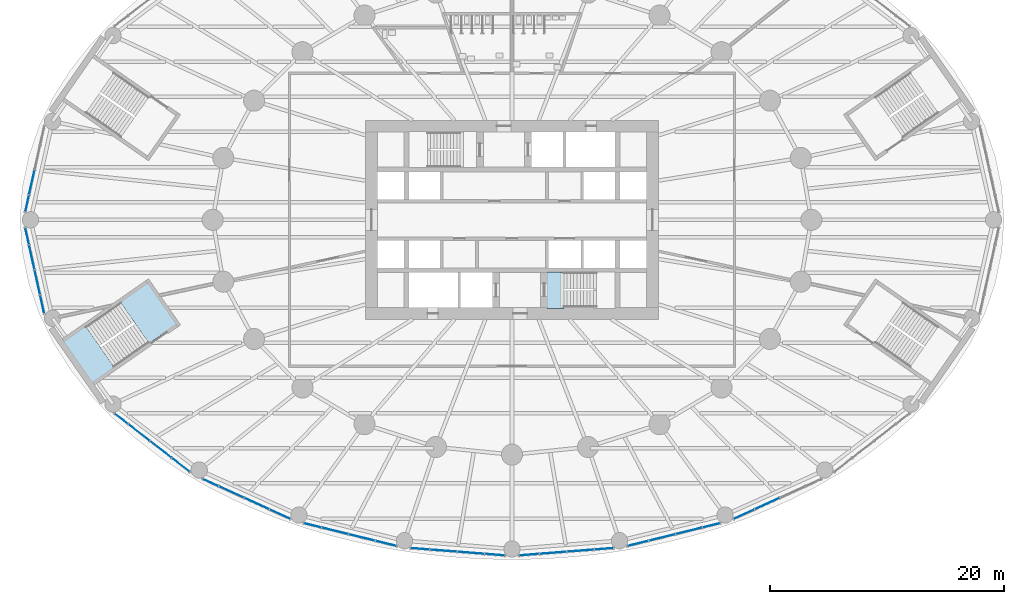
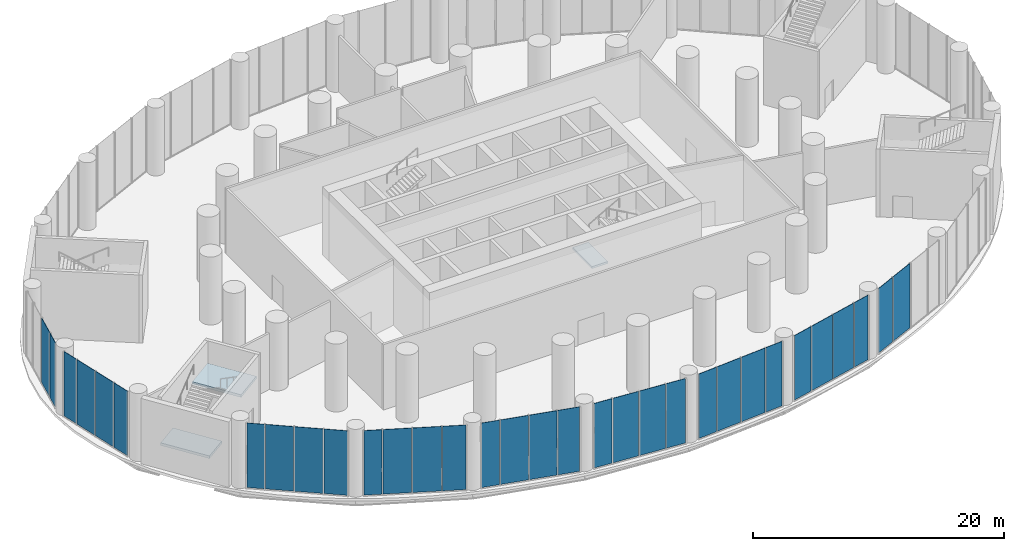
# One storey, part 13 of 22: 32 plates, 3 slabs, 11 elements without a shape of their own.
"""IFC4 building model written with IfcOpenShell, lengths in metres."""

from ifc_helpers import new_model, si_unit, direction, frame, origin, origin_2d, place, context, subcontext, project, spatial, polyline, rectangle, outline, extrude, material, layer, layer_set, type_object, element, aggregate, save


model = new_model("IFC4")

# Units and contexts
model_context = context("Model", 3, precision=1e-05, world=origin(), true_north=direction((0.0, 1.0)))
body_context = subcontext(model_context, "Body", "Model", "MODEL_VIEW")
ifc_project = project(units=[si_unit("LENGTHUNIT", "METRE"), si_unit("AREAUNIT", "SQUARE_METRE"), si_unit("VOLUMEUNIT", "CUBIC_METRE"), si_unit("PLANEANGLEUNIT", "RADIAN"), si_unit("MASSUNIT", "GRAM", prefix="KILO")], contexts=[model_context])

# Site, building, storey
site_placement = place(None, origin())
site = spatial("IfcSite", under=ifc_project, at=site_placement, CompositionType="ELEMENT")
building_placement = place(site_placement, origin())
building = spatial("IfcBuilding", under=site, at=building_placement, Name="Hankou Lantern Tower", CompositionType="ELEMENT")
storey_placement = place(building_placement, frame((0.0, 0.0, 7.199951171875)))
storey = spatial("IfcBuildingStorey", under=building, at=storey_placement, Name="L01", CompositionType="ELEMENT", Elevation=7.199951171875)

# Curtain wall, plates
ifc_material_1 = material(Name="Glass, dark grey tinted laminated", Category="glass")
curtain_wall_type = type_object("IfcCurtainWallType", Name="CWP PODIUM CURTAIN WALL", PredefinedType="USERDEFINED", material=ifc_material_1)
curtain_wall_1_placement = place(storey_placement, origin())
curtain_wall_1 = element("IfcCurtainWall", 1, at=curtain_wall_1_placement, inside=storey, type_object=curtain_wall_type, Name="CWP L01 PC09", ObjectType="PODIUM GLAZING", PredefinedType="USERDEFINED")
ifc_material_2 = material(Name="Glass, dark grey tinted laminated", Category="glass")
ifc_layer_1 = layer(ifc_material_2, 0.037109375)
ifc_layer_set_1 = layer_set([ifc_layer_1], Name="Glass, dark grey tinted laminated")
plate_type = type_object("IfcPlateType", Name="PN2 PODIUM GLASS PANEL", PredefinedType="CURTAIN_PANEL", material=ifc_layer_set_1)
plate_1_placement = place(storey_placement, frame((-40.99267578125, 3.200439453125, 0.080078125), z_axis=(0.0, 0.0, 1.0), x_axis=(-0.215821488116, -0.976432837049, 0.0)))
plate_1 = element("IfcPlate", 2, at=plate_1_placement, type_object=plate_type, Name="CWP glass panel 3", PredefinedType="CURTAIN_PANEL", context=body_context, shape_type="SweptSolid", body=[
    extrude(rectangle(XDim=2.105224609375, YDim=0.031982421875, at=origin_2d()), origin(), (0.0, 0.0, 1.0), 6.27001953125),
])
plate_2_placement = place(storey_placement, frame((-41.391357421875, 1.396484375, 0.080078125), z_axis=(0.0, 0.0, 1.0), x_axis=(-0.215821488116, -0.976432837049, 0.0)))
plate_2 = element("IfcPlate", 3, at=plate_2_placement, type_object=plate_type, Name="CWP glass panel 4", PredefinedType="CURTAIN_PANEL", context=body_context, shape_type="SweptSolid", body=[
    extrude(rectangle(XDim=1.4296875, YDim=0.031982421875, at=origin_2d()), origin(), (0.0, 0.0, 1.0), 6.27001953125),
])
aggregate(curtain_wall_1, [plate_1, plate_2])

curtain_wall_2_placement = place(storey_placement, origin())
curtain_wall_2 = element("IfcCurtainWall", 4, at=curtain_wall_2_placement, inside=storey, type_object=curtain_wall_type, Name="CWP L01 PC10", ObjectType="PODIUM GLAZING", PredefinedType="USERDEFINED")
plate_3_placement = place(storey_placement, frame((-41.391357421875, -1.396484375, 0.080078125), z_axis=(0.0, 0.0, 1.0), x_axis=(0.215821488116, -0.976432837049, 0.0)))
plate_3 = element("IfcPlate", 5, at=plate_3_placement, type_object=plate_type, Name="CWP glass panel 1", PredefinedType="CURTAIN_PANEL", context=body_context, shape_type="SweptSolid", body=[
    extrude(rectangle(XDim=1.4296875, YDim=0.031982421875, at=origin_2d()), origin(), (0.0, 0.0, 1.0), 6.27001953125),
])
plate_4_placement = place(storey_placement, frame((-40.99267578125, -3.200439453125, 0.080078125), z_axis=(0.0, 0.0, 1.0), x_axis=(0.215821488116, -0.976432837049, 0.0)))
plate_4 = element("IfcPlate", 6, at=plate_4_placement, type_object=plate_type, Name="CWP glass panel 2", PredefinedType="CURTAIN_PANEL", context=body_context, shape_type="SweptSolid", body=[
    extrude(rectangle(XDim=2.105224609375, YDim=0.031982421875, at=origin_2d()), origin(), (0.0, 0.0, 1.0), 6.27001953125),
])
plate_5_placement = place(storey_placement, frame((-40.52099609375, -5.333984375, 0.080078125), z_axis=(0.0, 0.0, 1.0), x_axis=(0.215821488116, -0.976432837049, 0.0)))
plate_5 = element("IfcPlate", 7, at=plate_5_placement, type_object=plate_type, Name="CWP glass panel 3", PredefinedType="CURTAIN_PANEL", context=body_context, shape_type="SweptSolid", body=[
    extrude(rectangle(XDim=2.105224609375, YDim=0.031982421875, at=origin_2d()), origin(), (0.0, 0.0, 1.0), 6.27001953125),
])
plate_6_placement = place(storey_placement, frame((-40.105224609375, -7.214599609375, 0.080078125), z_axis=(0.0, 0.0, 1.0), x_axis=(0.215821488116, -0.976432837049, 0.0)))
plate_6 = element("IfcPlate", 8, at=plate_6_placement, type_object=plate_type, Name="CWP glass panel 4", PredefinedType="CURTAIN_PANEL", context=body_context, shape_type="SweptSolid", body=[
    extrude(rectangle(XDim=1.5869140625, YDim=0.031982421875, at=origin_2d()), origin(), (0.0, 0.0, 1.0), 6.27001953125),
])
aggregate(curtain_wall_2, [plate_3, plate_4, plate_5, plate_6])

curtain_wall_3_placement = place(storey_placement, origin())
curtain_wall_3 = element("IfcCurtainWall", 9, at=curtain_wall_3_placement, inside=storey, type_object=curtain_wall_type, Name="CWP L01 PC11", ObjectType="PODIUM GLAZING", PredefinedType="USERDEFINED")
plate_7_placement = place(storey_placement, frame((-33.356689453125, -16.977294921875, 0.080078125), z_axis=(0.0, 0.0, 1.0), x_axis=(0.790129760642, -0.612939606608, 0.0)))
plate_7 = element("IfcPlate", 10, at=plate_7_placement, type_object=plate_type, Name="CWP glass panel 1", PredefinedType="CURTAIN_PANEL", context=body_context, shape_type="SweptSolid", body=[
    extrude(rectangle(XDim=1.409423828125, YDim=0.031982421875, at=origin_2d()), origin(), (0.0, 0.0, 1.0), 6.27001953125),
])
plate_8_placement = place(storey_placement, frame((-31.83935546875, -18.154296875, 0.080078125), z_axis=(0.0, 0.0, 1.0), x_axis=(0.790129760642, -0.612939606608, 0.0)))
plate_8 = element("IfcPlate", 11, at=plate_8_placement, type_object=plate_type, Name="CWP glass panel 2", PredefinedType="CURTAIN_PANEL", context=body_context, shape_type="SweptSolid", body=[
    extrude(rectangle(XDim=2.270751953125, YDim=0.031982421875, at=origin_2d()), origin(), (0.0, 0.0, 1.0), 6.27001953125),
])
plate_9_placement = place(storey_placement, frame((-29.98193359375, -19.59521484375, 0.080078125), z_axis=(0.0, 0.0, 1.0), x_axis=(0.790129760642, -0.612939606608, 0.0)))
plate_9 = element("IfcPlate", 12, at=plate_9_placement, type_object=plate_type, Name="CWP glass panel 3", PredefinedType="CURTAIN_PANEL", context=body_context, shape_type="SweptSolid", body=[
    extrude(rectangle(XDim=2.270751953125, YDim=0.031982421875, at=origin_2d()), origin(), (0.0, 0.0, 1.0), 6.27001953125),
])
plate_10_placement = place(storey_placement, frame((-28.27001953125, -20.923095703125, 0.080078125), z_axis=(0.0, 0.0, 1.0), x_axis=(0.790129760642, -0.612939606608, 0.0)))
plate_10 = element("IfcPlate", 13, at=plate_10_placement, type_object=plate_type, Name="CWP glass panel 4", PredefinedType="CURTAIN_PANEL", context=body_context, shape_type="SweptSolid", body=[
    extrude(rectangle(XDim=1.90234375, YDim=0.031982421875, at=origin_2d()), origin(), (0.0, 0.0, 1.0), 6.27001953125),
])
aggregate(curtain_wall_3, [plate_7, plate_8, plate_9, plate_10])

curtain_wall_4_placement = place(storey_placement, origin())
curtain_wall_4 = element("IfcCurtainWall", 14, at=curtain_wall_4_placement, inside=storey, type_object=curtain_wall_type, Name="CWP L01 PC12", ObjectType="PODIUM GLAZING", PredefinedType="USERDEFINED")
plate_11_placement = place(storey_placement, frame((-25.72802734375, -22.4267578125, 0.080078125), z_axis=(0.0, 0.0, 1.0), x_axis=(0.909669790944, -0.41533224224, 0.0)))
plate_11 = element("IfcPlate", 15, at=plate_11_placement, type_object=plate_type, Name="CWP glass panel 1", PredefinedType="CURTAIN_PANEL", context=body_context, shape_type="SweptSolid", body=[
    extrude(rectangle(XDim=1.445068359375, YDim=0.031982421875, at=origin_2d()), origin(), (0.0, 0.0, 1.0), 6.27001953125),
])
plate_12_placement = place(storey_placement, frame((-23.95361328125, -23.23681640625, 0.080078125), z_axis=(0.0, 0.0, 1.0), x_axis=(0.909669790944, -0.41533224224, 0.0)))
plate_12 = element("IfcPlate", 16, at=plate_12_placement, type_object=plate_type, Name="CWP glass panel 2", PredefinedType="CURTAIN_PANEL", context=body_context, shape_type="SweptSolid", body=[
    extrude(rectangle(XDim=2.2958984375, YDim=0.031982421875, at=origin_2d()), origin(), (0.0, 0.0, 1.0), 6.27001953125),
])
plate_13_placement = place(storey_placement, frame((-21.792236328125, -24.2236328125, 0.080078125), z_axis=(0.0, 0.0, 1.0), x_axis=(0.909669790944, -0.41533224224, 0.0)))
plate_13 = element("IfcPlate", 17, at=plate_13_placement, type_object=plate_type, Name="CWP glass panel 3", PredefinedType="CURTAIN_PANEL", context=body_context, shape_type="SweptSolid", body=[
    extrude(rectangle(XDim=2.2958984375, YDim=0.031982421875, at=origin_2d()), origin(), (0.0, 0.0, 1.0), 6.27001953125),
])
plate_14_placement = place(storey_placement, frame((-19.812744140625, -25.12744140625, 0.080078125), z_axis=(0.0, 0.0, 1.0), x_axis=(0.909669790944, -0.41533224224, 0.0)))
plate_14 = element("IfcPlate", 18, at=plate_14_placement, type_object=plate_type, Name="CWP glass panel 4", PredefinedType="CURTAIN_PANEL", context=body_context, shape_type="SweptSolid", body=[
    extrude(rectangle(XDim=1.896240234375, YDim=0.031982421875, at=origin_2d()), origin(), (0.0, 0.0, 1.0), 6.27001953125),
])
aggregate(curtain_wall_4, [plate_11, plate_12, plate_13, plate_14])

curtain_wall_5_placement = place(storey_placement, origin())
curtain_wall_5 = element("IfcCurtainWall", 19, at=curtain_wall_5_placement, inside=storey, type_object=curtain_wall_type, Name="CWP L01 PC13", ObjectType="PODIUM GLAZING", PredefinedType="USERDEFINED")
plate_15_placement = place(storey_placement, frame((-17.02001953125, -26.080810546875, 0.080078125), z_axis=(0.0, 0.0, 1.0), x_axis=(0.970960955091, -0.239238006364, 0.0)))
plate_15 = element("IfcPlate", 20, at=plate_15_placement, type_object=plate_type, Name="CWP glass panel 1", PredefinedType="CURTAIN_PANEL", context=body_context, shape_type="SweptSolid", body=[
    extrude(rectangle(XDim=1.497314453125, YDim=0.031982421875, at=origin_2d()), origin(), (0.0, 0.0, 1.0), 6.27001953125),
])
plate_16_placement = place(storey_placement, frame((-15.1064453125, -26.552490234375, 0.080078125), z_axis=(0.0, 0.0, 1.0), x_axis=(0.970960955091, -0.239238006364, 0.0)))
plate_16 = element("IfcPlate", 21, at=plate_16_placement, type_object=plate_type, Name="CWP glass panel 2", PredefinedType="CURTAIN_PANEL", context=body_context, shape_type="SweptSolid", body=[
    extrude(rectangle(XDim=2.284423828125, YDim=0.031982421875, at=origin_2d()), origin(), (0.0, 0.0, 1.0), 6.27001953125),
])
plate_17_placement = place(storey_placement, frame((-12.810791015625, -27.1181640625, 0.080078125), z_axis=(0.0, 0.0, 1.0), x_axis=(0.970960955091, -0.239238006364, 0.0)))
plate_17 = element("IfcPlate", 22, at=plate_17_placement, type_object=plate_type, Name="CWP glass panel 3", PredefinedType="CURTAIN_PANEL", context=body_context, shape_type="SweptSolid", body=[
    extrude(rectangle(XDim=2.284423828125, YDim=0.031982421875, at=origin_2d()), origin(), (0.0, 0.0, 1.0), 6.27001953125),
])
plate_18_placement = place(storey_placement, frame((-10.74658203125, -27.626708984375, 0.080078125), z_axis=(0.0, 0.0, 1.0), x_axis=(0.970960955091, -0.239238006364, 0.0)))
plate_18 = element("IfcPlate", 23, at=plate_18_placement, type_object=plate_type, Name="CWP glass panel 4", PredefinedType="CURTAIN_PANEL", context=body_context, shape_type="SweptSolid", body=[
    extrude(rectangle(XDim=1.80712890625, YDim=0.031982421875, at=origin_2d()), origin(), (0.0, 0.0, 1.0), 6.27001953125),
])
aggregate(curtain_wall_5, [plate_15, plate_16, plate_17, plate_18])

curtain_wall_6_placement = place(storey_placement, origin())
curtain_wall_6 = element("IfcCurtainWall", 24, at=curtain_wall_6_placement, inside=storey, type_object=curtain_wall_type, Name="CWP L01 PC14", ObjectType="PODIUM GLAZING", PredefinedType="USERDEFINED")
plate_19_placement = place(storey_placement, frame((-7.85205078125, -28.085205078125, 0.080078125), z_axis=(0.0, 0.0, 1.0), x_axis=(0.996948515213, -0.078061885796, 0.0)))
plate_19 = element("IfcPlate", 25, at=plate_19_placement, type_object=plate_type, Name="CWP glass panel 1", PredefinedType="CURTAIN_PANEL", context=body_context, shape_type="SweptSolid", body=[
    extrude(rectangle(XDim=1.57861328125, YDim=0.031982421875, at=origin_2d()), origin(), (0.0, 0.0, 1.0), 6.27001953125),
])
plate_20_placement = place(storey_placement, frame((-5.8544921875, -28.24169921875, 0.080078125), z_axis=(0.0, 0.0, 1.0), x_axis=(0.996948515213, -0.078061885796, 0.0)))
plate_20 = element("IfcPlate", 26, at=plate_20_placement, type_object=plate_type, Name="CWP glass panel 2", PredefinedType="CURTAIN_PANEL", context=body_context, shape_type="SweptSolid", body=[
    extrude(rectangle(XDim=2.26904296875, YDim=0.031982421875, at=origin_2d()), origin(), (0.0, 0.0, 1.0), 6.27001953125),
])
plate_21_placement = place(storey_placement, frame((-3.5126953125, -28.425048828125, 0.080078125), z_axis=(0.0, 0.0, 1.0), x_axis=(0.996948515213, -0.078061885796, 0.0)))
plate_21 = element("IfcPlate", 27, at=plate_21_placement, type_object=plate_type, Name="CWP glass panel 3", PredefinedType="CURTAIN_PANEL", context=body_context, shape_type="SweptSolid", body=[
    extrude(rectangle(XDim=2.26904296875, YDim=0.031982421875, at=origin_2d()), origin(), (0.0, 0.0, 1.0), 6.27001953125),
])
plate_22_placement = place(storey_placement, frame((-1.460205078125, -28.585693359375, 0.080078125), z_axis=(0.0, 0.0, 1.0), x_axis=(0.996948515213, -0.078061885796, 0.0)))
plate_22 = element("IfcPlate", 28, at=plate_22_placement, type_object=plate_type, Name="CWP glass panel 4", PredefinedType="CURTAIN_PANEL", context=body_context, shape_type="SweptSolid", body=[
    extrude(rectangle(XDim=1.688232421875, YDim=0.031982421875, at=origin_2d()), origin(), (0.0, 0.0, 1.0), 6.27001953125),
])
aggregate(curtain_wall_6, [plate_19, plate_20, plate_21, plate_22])

curtain_wall_7_placement = place(storey_placement, origin())
curtain_wall_7 = element("IfcCurtainWall", 29, at=curtain_wall_7_placement, inside=storey, type_object=curtain_wall_type, Name="CWP L01 PC15", ObjectType="PODIUM GLAZING", PredefinedType="USERDEFINED")
plate_23_placement = place(storey_placement, frame((1.460205078125, -28.585693359375, 0.080078125), z_axis=(0.0, 0.0, 1.0), x_axis=(0.996948515213, 0.078061885796, 0.0)))
plate_23 = element("IfcPlate", 30, at=plate_23_placement, type_object=plate_type, Name="CWP glass panel 1", PredefinedType="CURTAIN_PANEL", context=body_context, shape_type="SweptSolid", body=[
    extrude(rectangle(XDim=1.688232421875, YDim=0.031982421875, at=origin_2d()), origin(), (0.0, 0.0, 1.0), 6.27001953125),
])
plate_24_placement = place(storey_placement, frame((3.5126953125, -28.425048828125, 0.080078125), z_axis=(0.0, 0.0, 1.0), x_axis=(0.996948515213, 0.078061885796, 0.0)))
plate_24 = element("IfcPlate", 31, at=plate_24_placement, type_object=plate_type, Name="CWP glass panel 2", PredefinedType="CURTAIN_PANEL", context=body_context, shape_type="SweptSolid", body=[
    extrude(rectangle(XDim=2.26904296875, YDim=0.031982421875, at=origin_2d()), origin(), (0.0, 0.0, 1.0), 6.27001953125),
])
plate_25_placement = place(storey_placement, frame((5.8544921875, -28.24169921875, 0.080078125), z_axis=(0.0, 0.0, 1.0), x_axis=(0.996948515213, 0.078061885796, 0.0)))
plate_25 = element("IfcPlate", 32, at=plate_25_placement, type_object=plate_type, Name="CWP glass panel 3", PredefinedType="CURTAIN_PANEL", context=body_context, shape_type="SweptSolid", body=[
    extrude(rectangle(XDim=2.26904296875, YDim=0.031982421875, at=origin_2d()), origin(), (0.0, 0.0, 1.0), 6.27001953125),
])
plate_26_placement = place(storey_placement, frame((7.85205078125, -28.085205078125, 0.080078125), z_axis=(0.0, 0.0, 1.0), x_axis=(0.996948515213, 0.078061885796, 0.0)))
plate_26 = element("IfcPlate", 33, at=plate_26_placement, type_object=plate_type, Name="CWP glass panel 4", PredefinedType="CURTAIN_PANEL", context=body_context, shape_type="SweptSolid", body=[
    extrude(rectangle(XDim=1.57861328125, YDim=0.031982421875, at=origin_2d()), origin(), (0.0, 0.0, 1.0), 6.27001953125),
])
aggregate(curtain_wall_7, [plate_23, plate_24, plate_25, plate_26])

curtain_wall_8_placement = place(storey_placement, origin())
curtain_wall_8 = element("IfcCurtainWall", 34, at=curtain_wall_8_placement, inside=storey, type_object=curtain_wall_type, Name="CWP L01 PC16", ObjectType="PODIUM GLAZING", PredefinedType="USERDEFINED")
plate_27_placement = place(storey_placement, frame((10.74658203125, -27.626708984375, 0.080078125), z_axis=(0.0, 0.0, 1.0), x_axis=(0.970960955091, 0.239238006364, 0.0)))
plate_27 = element("IfcPlate", 35, at=plate_27_placement, type_object=plate_type, Name="CWP glass panel 1", PredefinedType="CURTAIN_PANEL", context=body_context, shape_type="SweptSolid", body=[
    extrude(rectangle(XDim=1.80712890625, YDim=0.031982421875, at=origin_2d()), origin(), (0.0, 0.0, 1.0), 6.27001953125),
])
plate_28_placement = place(storey_placement, frame((12.810791015625, -27.1181640625, 0.080078125), z_axis=(0.0, 0.0, 1.0), x_axis=(0.970960955091, 0.239238006364, 0.0)))
plate_28 = element("IfcPlate", 36, at=plate_28_placement, type_object=plate_type, Name="CWP glass panel 2", PredefinedType="CURTAIN_PANEL", context=body_context, shape_type="SweptSolid", body=[
    extrude(rectangle(XDim=2.284423828125, YDim=0.031982421875, at=origin_2d()), origin(), (0.0, 0.0, 1.0), 6.27001953125),
])
plate_29_placement = place(storey_placement, frame((15.1064453125, -26.552490234375, 0.080078125), z_axis=(0.0, 0.0, 1.0), x_axis=(0.970960955091, 0.239238006364, 0.0)))
plate_29 = element("IfcPlate", 37, at=plate_29_placement, type_object=plate_type, Name="CWP glass panel 3", PredefinedType="CURTAIN_PANEL", context=body_context, shape_type="SweptSolid", body=[
    extrude(rectangle(XDim=2.284423828125, YDim=0.031982421875, at=origin_2d()), origin(), (0.0, 0.0, 1.0), 6.27001953125),
])
plate_30_placement = place(storey_placement, frame((17.02001953125, -26.080810546875, 0.080078125), z_axis=(0.0, 0.0, 1.0), x_axis=(0.970960955091, 0.239238006364, 0.0)))
plate_30 = element("IfcPlate", 38, at=plate_30_placement, type_object=plate_type, Name="CWP glass panel 4", PredefinedType="CURTAIN_PANEL", context=body_context, shape_type="SweptSolid", body=[
    extrude(rectangle(XDim=1.497314453125, YDim=0.031982421875, at=origin_2d()), origin(), (0.0, 0.0, 1.0), 6.27001953125),
])
aggregate(curtain_wall_8, [plate_27, plate_28, plate_29, plate_30])

curtain_wall_9_placement = place(storey_placement, origin())
curtain_wall_9 = element("IfcCurtainWall", 39, at=curtain_wall_9_placement, inside=storey, type_object=curtain_wall_type, Name="CWP L01 PC17", ObjectType="PODIUM GLAZING", PredefinedType="USERDEFINED")
plate_31_placement = place(storey_placement, frame((19.812744140625, -25.12744140625, 0.080078125), z_axis=(0.0, 0.0, 1.0), x_axis=(0.909669790944, 0.41533224224, 0.0)))
plate_31 = element("IfcPlate", 40, at=plate_31_placement, type_object=plate_type, Name="CWP glass panel 1", PredefinedType="CURTAIN_PANEL", context=body_context, shape_type="SweptSolid", body=[
    extrude(rectangle(XDim=1.896240234375, YDim=0.031982421875, at=origin_2d()), origin(), (0.0, 0.0, 1.0), 6.27001953125),
])
plate_32_placement = place(storey_placement, frame((21.792236328125, -24.2236328125, 0.080078125), z_axis=(0.0, 0.0, 1.0), x_axis=(0.909669790944, 0.41533224224, 0.0)))
plate_32 = element("IfcPlate", 41, at=plate_32_placement, type_object=plate_type, Name="CWP glass panel 2", PredefinedType="CURTAIN_PANEL", context=body_context, shape_type="SweptSolid", body=[
    extrude(rectangle(XDim=2.2958984375, YDim=0.031982421875, at=origin_2d()), origin(), (0.0, 0.0, 1.0), 6.27001953125),
])
aggregate(curtain_wall_9, [plate_31, plate_32])

# Stair, slab
ifc_material_3 = material(Name="Concrete C40", Category="concrete")
stair_type_1 = type_object("IfcStairType", Name="ST66 CORE STAIR 6600 RISE", PredefinedType="HALF_TURN_STAIR", material=ifc_material_3)
stair_1_placement = place(storey_placement, origin())
stair_1 = element("IfcStair", 42, at=stair_1_placement, inside=storey, type_object=stair_type_1, Name="Stair STB L01", PredefinedType="HALF_TURN_STAIR")
ifc_material_4 = material(Name="Concrete C40", Category="concrete")
ifc_layer_2 = layer(ifc_material_4, 0.199951171875)
ifc_layer_set_2 = layer_set([ifc_layer_2], Name="Concrete C40")
slab_type_1 = type_object("IfcSlabType", Name="SL1 STAIR LANDING 200", PredefinedType="LANDING", material=ifc_layer_set_2)
slab_1_placement = place(storey_placement, frame((0.0, 0.0, 2.94287109375)))
slab_1 = element("IfcSlab", 43, at=slab_1_placement, type_object=slab_type_1, Name="STB landing 2", PredefinedType="LANDING", context=body_context, shape_type="SweptSolid", body=[
    extrude(outline(polyline([(4.449951171875, -4.449951171875), (3.0, -4.449951171875), (3.0, -7.550048828125), (4.449951171875, -7.550048828125), (4.449951171875, -4.449951171875)])), origin(), (0.0, 0.0, 1.0), 0.199951171875),
])
aggregate(stair_1, [slab_1])

# Stair, slabs
ifc_material_5 = material(Name="Concrete C40", Category="concrete")
stair_type_2 = type_object("IfcStairType", Name="PS66 PODIUM STAIR 6600 RISE", PredefinedType="HALF_TURN_STAIR", material=ifc_material_5)
stair_2_placement = place(storey_placement, origin())
stair_2 = element("IfcStair", 44, at=stair_2_placement, inside=storey, type_object=stair_type_2, Name="Stair P3 L01", PredefinedType="HALF_TURN_STAIR")
ifc_material_6 = material(Name="Concrete C40", Category="concrete")
ifc_layer_3 = layer(ifc_material_6, 0.25)
ifc_layer_set_3 = layer_set([ifc_layer_3], Name="Concrete C40")
slab_type_2 = type_object("IfcSlabType", Name="SL2 PODIUM STAIR LANDING 250", PredefinedType="LANDING", material=ifc_layer_set_3)
slab_2_placement = place(storey_placement, frame((0.0, 0.0, 1.949951171875)))
slab_2 = element("IfcSlab", 45, at=slab_2_placement, type_object=slab_type_2, Name="P3 landing 1", PredefinedType="LANDING", context=body_context, shape_type="SweptSolid", body=[
    extrude(outline(polyline([(-38.283203125, -10.384521484375), (-35.82763671875, -13.91455078125), (-33.939453125, -12.60107421875), (-36.39501953125, -9.071044921875), (-38.283203125, -10.384521484375)])), origin(), (0.0, 0.0, 1.0), 0.25),
])
slab_3_placement = place(storey_placement, frame((0.0, 0.0, 4.150146484375)))
slab_3 = element("IfcSlab", 46, at=slab_3_placement, type_object=slab_type_2, Name="P3 landing 2", PredefinedType="LANDING", context=body_context, shape_type="SweptSolid", body=[
    extrude(outline(polyline([(-33.439697265625, -7.015380859375), (-30.984130859375, -10.54541015625), (-28.636474609375, -8.912109375), (-31.091796875, -5.382080078125), (-33.439697265625, -7.015380859375)])), origin(), (0.0, 0.0, 1.0), 0.25),
])
aggregate(stair_2, [slab_2, slab_3])

save(model, "model.ifc")
